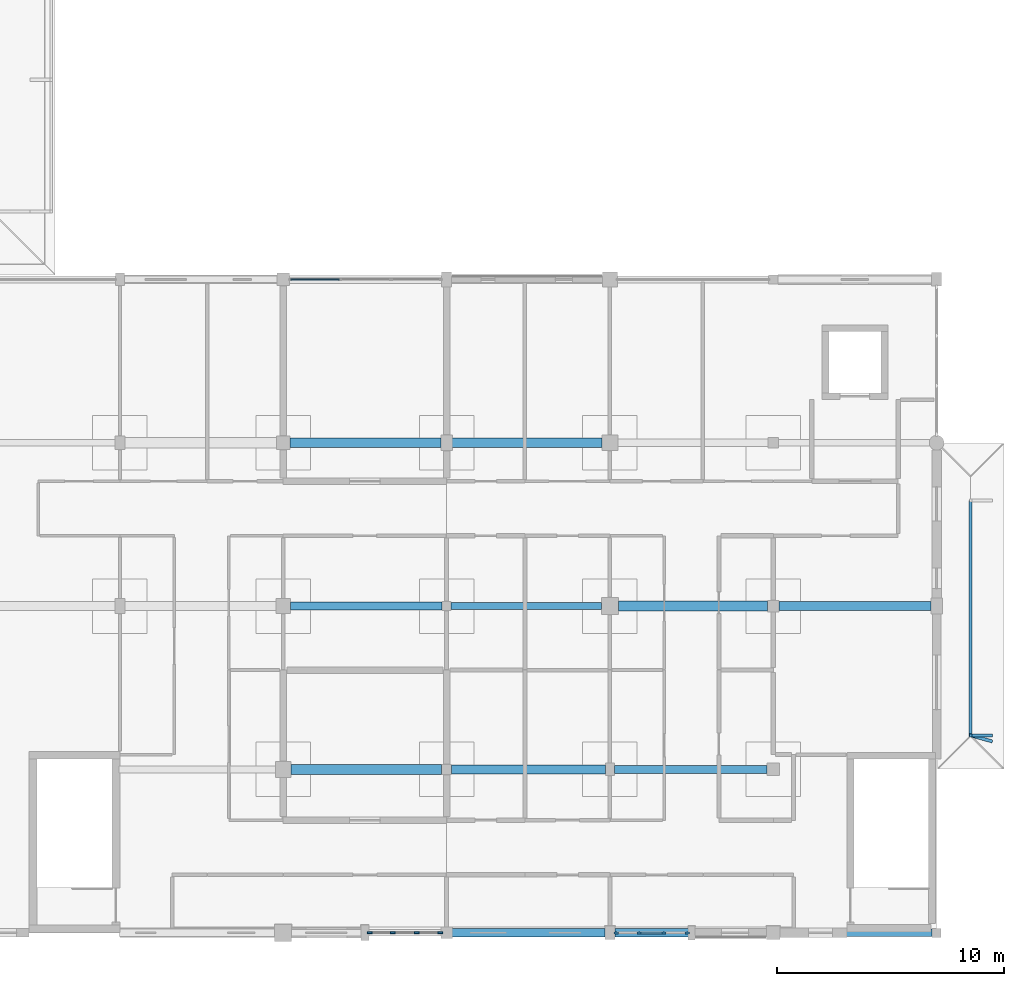
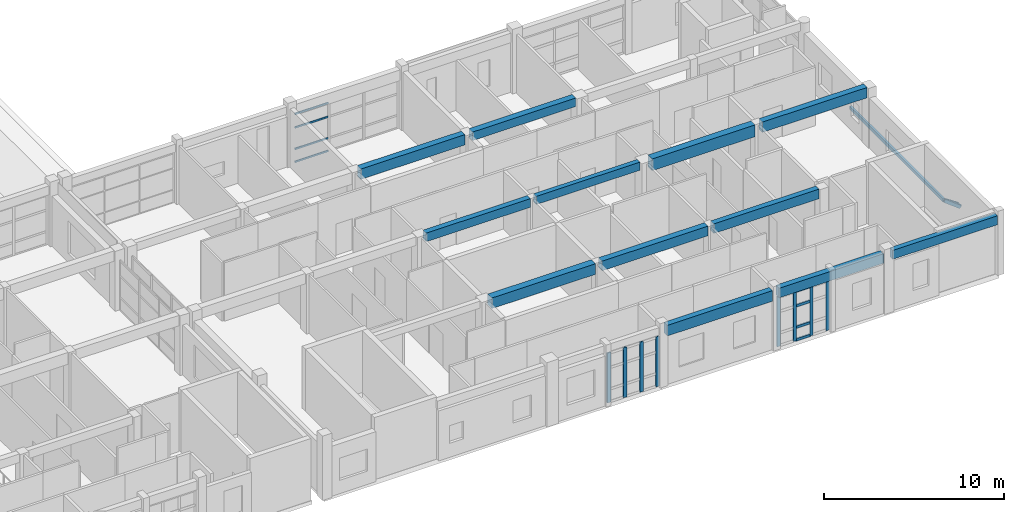
# One storey, part 44 of 110: 19 members, 12 beams, 3 elements without a shape of their own.
"""IFC4 building model written with IfcOpenShell, lengths in metres."""

from ifc_helpers import new_model, si_unit, direction, frame, origin, origin_2d, place, context, subcontext, project, spatial, rectangle, extrude, material, material_profile, profile_set, type_object, element, aggregate, save


model = new_model("IFC4")

# Units and contexts
model_context = context("Model", 3, precision=1e-05, world=origin(), true_north=direction((0.0, 1.0)))
body_context = subcontext(model_context, "Body", "Model", "MODEL_VIEW")
ifc_project = project(units=[si_unit("LENGTHUNIT", "METRE"), si_unit("AREAUNIT", "SQUARE_METRE"), si_unit("VOLUMEUNIT", "CUBIC_METRE"), si_unit("PLANEANGLEUNIT", "RADIAN"), si_unit("MASSUNIT", "GRAM", prefix="KILO")], contexts=[model_context])

# Site, building, storey
site_placement = place(None, origin())
site = spatial("IfcSite", under=ifc_project, at=site_placement, CompositionType="ELEMENT")
building_placement = place(site_placement, origin())
building = spatial("IfcBuilding", under=site, at=building_placement, Name="Steenspoor Specialist Clinic", CompositionType="ELEMENT")
storey_placement = place(building_placement, frame((0.0, 0.0, 4.800048828125)))
storey = spatial("IfcBuildingStorey", under=building, at=storey_placement, Name="L01", CompositionType="ELEMENT", Elevation=4.800048828125)

# Beams
ifc_material_1 = material(Name="Concrete C35/45", Category="concrete")
ifc_material_profile_1 = material_profile(ifc_material_1, rectangle(XDim=0.300048828125, YDim=0.550048828125, at=origin_2d()), Name="RC-BM-300X550")
ifc_profile_set_1 = profile_set([ifc_material_profile_1], Name="Concrete C35/45")
beam_type_1 = type_object("IfcBeamType", Name="BM-RC-300X550", PredefinedType="BEAM", material=ifc_profile_set_1)
beam_1_placement = place(storey_placement, frame((139.794921875, 27.449951171875, 3.760009765625), z_axis=(1.0, 0.0, 0.0), x_axis=(0.0, 1.0, 0.0)))
element("IfcBeam", 1, at=beam_1_placement, inside=storey, type_object=beam_type_1, Name="BM-V2-L01-X0255", PredefinedType="BEAM", context=body_context, shape_type="SweptSolid", body=[
    extrude(rectangle(XDim=0.300048828125, YDim=0.550048828125, at=origin_2d()), origin(), (0.0, 0.0, 1.0), 6.635009765625),
])
ifc_material_profile_2 = material_profile(ifc_material_1, rectangle(XDim=0.35009765625, YDim=0.580078125, at=origin_2d()), Name="RC-BM-350X580")
ifc_profile_set_2 = profile_set([ifc_material_profile_2], Name="Concrete C35/45")
beam_type_2 = type_object("IfcBeamType", Name="BM-RC-350X580", PredefinedType="BEAM", material=ifc_profile_set_2)
beam_2_placement = place(storey_placement, frame((132.719970703125, 27.449951171875, 3.744873046875), z_axis=(1.0, 0.0, 0.0), x_axis=(0.0, 1.0, 0.0)))
element("IfcBeam", 2, at=beam_2_placement, inside=storey, type_object=beam_type_2, Name="BM-V2-L01-X0254", PredefinedType="BEAM", context=body_context, shape_type="SweptSolid", body=[
    extrude(rectangle(XDim=0.35009765625, YDim=0.580078125, at=origin_2d()), origin(), (0.0, 0.0, 1.0), 6.68505859375),
])
ifc_material_profile_3 = material_profile(ifc_material_1, rectangle(XDim=0.35009765625, YDim=0.64990234375, at=origin_2d()), Name="RC-BM-350X650")
ifc_profile_set_3 = profile_set([ifc_material_profile_3], Name="Concrete C35/45")
beam_type_3 = type_object("IfcBeamType", Name="BM-RC-350X650", PredefinedType="BEAM", material=ifc_profile_set_3)
beam_3_placement = place(storey_placement, frame((146.9951171875, 20.25, 3.7099609375), z_axis=(1.0, 0.0, 0.0), x_axis=(0.0, 1.0, 0.0)))
element("IfcBeam", 3, at=beam_3_placement, inside=storey, type_object=beam_type_3, Name="BM-V2-L01-X0251", PredefinedType="BEAM", context=body_context, shape_type="SweptSolid", body=[
    extrude(rectangle(XDim=0.35009765625, YDim=0.64990234375, at=origin_2d()), origin(), (0.0, 0.0, 1.0), 6.73486328125),
])
ifc_material_profile_4 = material_profile(ifc_material_1, rectangle(XDim=0.39990234375, YDim=0.580078125, at=origin_2d()), Name="RC-BM-400X580")
ifc_profile_set_4 = profile_set([ifc_material_profile_4], Name="Concrete C35/45")
beam_type_4 = type_object("IfcBeamType", Name="BM-RC-400X580", PredefinedType="BEAM", material=ifc_profile_set_4)
beam_4_placement = place(storey_placement, frame((139.844970703125, 34.64990234375, 3.744873046875), z_axis=(1.0, 0.0, 0.0), x_axis=(0.0, 1.0, 0.0)))
element("IfcBeam", 4, at=beam_4_placement, inside=storey, type_object=beam_type_4, Name="BM-V2-L01-X0261", PredefinedType="BEAM", context=body_context, shape_type="SweptSolid", body=[
    extrude(rectangle(XDim=0.39990234375, YDim=0.580078125, at=origin_2d()), origin(), (0.0, 0.0, 1.0), 6.610107421875),
])
ifc_material_profile_5 = material_profile(ifc_material_1, rectangle(XDim=0.39990234375, YDim=0.64990234375, at=origin_2d()), Name="RC-BM-400X650")
ifc_profile_set_5 = profile_set([ifc_material_profile_5], Name="Concrete C35/45")
beam_type_5 = type_object("IfcBeamType", Name="BM-RC-400X650", PredefinedType="BEAM", material=ifc_profile_set_5)
beam_5_placement = place(storey_placement, frame((139.820068359375, 20.25, 3.7099609375), z_axis=(1.0, 0.0, 0.0), x_axis=(0.0, 1.0, 0.0)))
element("IfcBeam", 5, at=beam_5_placement, inside=storey, type_object=beam_type_5, Name="BM-V2-L01-X0250", PredefinedType="BEAM", context=body_context, shape_type="SweptSolid", body=[
    extrude(rectangle(XDim=0.39990234375, YDim=0.64990234375, at=origin_2d()), origin(), (0.0, 0.0, 1.0), 6.784912109375),
])
ifc_material_profile_6 = material_profile(ifc_material_1, rectangle(XDim=0.39990234375, YDim=0.699951171875, at=origin_2d()), Name="RC-BM-400X700")
ifc_profile_set_6 = profile_set([ifc_material_profile_6], Name="Concrete C35/45")
beam_type_6 = type_object("IfcBeamType", Name="BM-RC-400X700", PredefinedType="BEAM", material=ifc_profile_set_6)
beam_6_placement = place(storey_placement, frame((154.2451171875, 27.449951171875, 3.68505859375), z_axis=(1.0, 0.0, 0.0), x_axis=(0.0, 1.0, 0.0)))
element("IfcBeam", 6, at=beam_6_placement, inside=storey, type_object=beam_type_6, Name="BM-V2-L01-X0257", PredefinedType="BEAM", context=body_context, shape_type="SweptSolid", body=[
    extrude(rectangle(XDim=0.39990234375, YDim=0.699951171875, at=origin_2d()), origin(), (0.0, 0.0, 1.0), 6.7099609375),
])
beam_7_placement = place(storey_placement, frame((132.695068359375, 34.64990234375, 3.68505859375), z_axis=(1.0, 0.0, 0.0), x_axis=(0.0, 1.0, 0.0)))
element("IfcBeam", 7, at=beam_7_placement, inside=storey, type_object=beam_type_6, Name="BM-V2-L01-X0260", PredefinedType="BEAM", context=body_context, shape_type="SweptSolid", body=[
    extrude(rectangle(XDim=0.39990234375, YDim=0.699951171875, at=origin_2d()), origin(), (0.0, 0.0, 1.0), 6.659912109375),
])
ifc_material_profile_7 = material_profile(ifc_material_1, rectangle(XDim=0.449951171875, YDim=0.719970703125, at=origin_2d()), Name="RC-BM-450X720")
ifc_profile_set_7 = profile_set([ifc_material_profile_7], Name="Concrete C35/45")
beam_type_7 = type_object("IfcBeamType", Name="BM-RC-450X720", PredefinedType="BEAM", material=ifc_profile_set_7)
beam_8_placement = place(storey_placement, frame((132.7451171875, 20.25, 3.675048828125), z_axis=(1.0, 0.0, 0.0), x_axis=(0.0, 1.0, 0.0)))
element("IfcBeam", 8, at=beam_8_placement, inside=storey, type_object=beam_type_7, Name="BM-V2-L01-X0249", PredefinedType="BEAM", context=body_context, shape_type="SweptSolid", body=[
    extrude(rectangle(XDim=0.449951171875, YDim=0.719970703125, at=origin_2d()), origin(), (0.0, 0.0, 1.0), 6.634765625),
])
ifc_material_profile_8 = material_profile(ifc_material_1, rectangle(XDim=0.449951171875, YDim=0.800048828125, at=origin_2d()), Name="RC-BM-450X800")
ifc_profile_set_8 = profile_set([ifc_material_profile_8], Name="Concrete C35/45")
beam_type_8 = type_object("IfcBeamType", Name="BM-RC-450X800", PredefinedType="BEAM", material=ifc_profile_set_8)
beam_9_placement = place(storey_placement, frame((147.169921875, 27.449951171875, 3.635009765625), z_axis=(1.0, 0.0, 0.0), x_axis=(0.0, 1.0, 0.0)))
element("IfcBeam", 9, at=beam_9_placement, inside=storey, type_object=beam_type_8, Name="BM-V2-L01-X0256", PredefinedType="BEAM", context=body_context, shape_type="SweptSolid", body=[
    extrude(rectangle(XDim=0.449951171875, YDim=0.800048828125, at=origin_2d()), origin(), (0.0, 0.0, 1.0), 6.5849609375),
])

# Curtain wall, members
ifc_material_2 = material(Name="Thermally broken aluminium and low-emissivity glass", Category="aluminium")
curtain_wall_type_1 = type_object("IfcCurtainWallType", Name="CW-L00-480X415", PredefinedType="USERDEFINED", material=ifc_material_2)
curtain_wall_1_placement = place(storey_placement, origin())
curtain_wall_1 = element("IfcCurtainWall", 10, at=curtain_wall_1_placement, inside=storey, type_object=curtain_wall_type_1, Name="Unitised Curtain Wall CW-V2-L01-030", ObjectType="UNITISED GLAZING", PredefinedType="USERDEFINED")
ifc_material_3 = material(Name="Thermally broken aluminium 6063-T6", Category="aluminium")
ifc_material_profile_9 = material_profile(ifc_material_3, rectangle(XDim=0.080078125, YDim=0.219970703125, at=origin_2d()), Name="CWM-80X220")
ifc_profile_set_9 = profile_set([ifc_material_profile_9], Name="Thermally broken aluminium 6063-T6")
member_type_1 = type_object("IfcMemberType", Name="CW-MULL-80X220", PredefinedType="MULLION", material=ifc_profile_set_9)
member_1_placement = place(storey_placement, frame((139.31005859375, 13.050048828125, 0.0), z_axis=(0.0, 0.0, 1.0), x_axis=(0.0, -1.0, 0.0)))
member_1 = element("IfcMember", 11, at=member_1_placement, type_object=member_type_1, Name="CW-06 mullion 1", PredefinedType="MULLION", context=body_context, shape_type="SweptSolid", body=[
    extrude(rectangle(XDim=0.080078125, YDim=0.219970703125, at=origin_2d()), origin(), (0.0, 0.0, 1.0), 3.3798828125),
])
member_2_placement = place(storey_placement, frame((138.2900390625, 13.050048828125, 0.0), z_axis=(0.0, 0.0, 1.0), x_axis=(0.0, -1.0, 0.0)))
member_2 = element("IfcMember", 12, at=member_2_placement, type_object=member_type_1, Name="CW-06 mullion 2", PredefinedType="MULLION", context=body_context, shape_type="SweptSolid", body=[
    extrude(rectangle(XDim=0.080078125, YDim=0.219970703125, at=origin_2d()), origin(), (0.0, 0.0, 1.0), 3.3798828125),
])
member_3_placement = place(storey_placement, frame((137.22998046875, 13.050048828125, 0.0), z_axis=(0.0, 0.0, 1.0), x_axis=(0.0, -1.0, 0.0)))
member_3 = element("IfcMember", 13, at=member_3_placement, type_object=member_type_1, Name="CW-06 mullion 3", PredefinedType="MULLION", context=body_context, shape_type="SweptSolid", body=[
    extrude(rectangle(XDim=0.080078125, YDim=0.219970703125, at=origin_2d()), origin(), (0.0, 0.0, 1.0), 3.3798828125),
])
member_4_placement = place(storey_placement, frame((136.2099609375, 13.050048828125, 0.0), z_axis=(0.0, 0.0, 1.0), x_axis=(0.0, -1.0, 0.0)))
member_4 = element("IfcMember", 14, at=member_4_placement, type_object=member_type_1, Name="CW-06 mullion 4", PredefinedType="MULLION", context=body_context, shape_type="SweptSolid", body=[
    extrude(rectangle(XDim=0.080078125, YDim=0.219970703125, at=origin_2d()), origin(), (0.0, 0.0, 1.0), 3.3798828125),
])
aggregate(curtain_wall_1, [member_1, member_2, member_3, member_4])

curtain_wall_type_2 = type_object("IfcCurtainWallType", Name="CW-L00-650X415", PredefinedType="USERDEFINED", material=ifc_material_2)
curtain_wall_2_placement = place(storey_placement, origin())
curtain_wall_2 = element("IfcCurtainWall", 15, at=curtain_wall_2_placement, inside=storey, type_object=curtain_wall_type_2, Name="Unitised Curtain Wall CW-V2-L01-029", ObjectType="UNITISED GLAZING", PredefinedType="USERDEFINED")
ifc_material_profile_10 = material_profile(ifc_material_3, rectangle(XDim=0.090087890625, YDim=0.199951171875, at=origin_2d()), Name="CWM-90X200")
ifc_profile_set_10 = profile_set([ifc_material_profile_10], Name="Thermally broken aluminium 6063-T6")
member_type_2 = type_object("IfcMemberType", Name="CW-MULL-90X200", PredefinedType="MULLION", material=ifc_profile_set_10)
member_5_placement = place(storey_placement, frame((150.205078125, 13.050048828125, 0.0), z_axis=(0.0, 0.0, 1.0), x_axis=(0.0, -1.0, 0.0)))
member_5 = element("IfcMember", 16, at=member_5_placement, type_object=member_type_2, Name="CW-05 mullion 1", PredefinedType="MULLION", context=body_context, shape_type="SweptSolid", body=[
    extrude(rectangle(XDim=0.090087890625, YDim=0.199951171875, at=origin_2d()), origin(), (0.0, 0.0, 1.0), 3.3798828125),
])
member_6_placement = place(storey_placement, frame((149.175048828125, 13.050048828125, 0.0), z_axis=(0.0, 0.0, 1.0), x_axis=(0.0, -1.0, 0.0)))
member_6 = element("IfcMember", 17, at=member_6_placement, type_object=member_type_2, Name="CW-05 mullion 2", PredefinedType="MULLION", context=body_context, shape_type="SweptSolid", body=[
    extrude(rectangle(XDim=0.090087890625, YDim=0.199951171875, at=origin_2d()), origin(), (0.0, 0.0, 1.0), 3.3798828125),
])
member_7_placement = place(storey_placement, frame((148.10009765625, 13.050048828125, 0.0), z_axis=(0.0, 0.0, 1.0), x_axis=(0.0, -1.0, 0.0)))
member_7 = element("IfcMember", 18, at=member_7_placement, type_object=member_type_2, Name="CW-05 mullion 3", PredefinedType="MULLION", context=body_context, shape_type="SweptSolid", body=[
    extrude(rectangle(XDim=0.090087890625, YDim=0.199951171875, at=origin_2d()), origin(), (0.0, 0.0, 1.0), 3.3798828125),
])
member_8_placement = place(storey_placement, frame((147.070068359375, 13.050048828125, 0.0), z_axis=(0.0, 0.0, 1.0), x_axis=(0.0, -1.0, 0.0)))
member_8 = element("IfcMember", 19, at=member_8_placement, type_object=member_type_2, Name="CW-05 mullion 4", PredefinedType="MULLION", context=body_context, shape_type="SweptSolid", body=[
    extrude(rectangle(XDim=0.090087890625, YDim=0.199951171875, at=origin_2d()), origin(), (0.0, 0.0, 1.0), 3.3798828125),
])

curtain_wall_type_3 = type_object("IfcCurtainWallType", Name="CW-TYP-660X355", PredefinedType="USERDEFINED", material=ifc_material_2)
curtain_wall_3_placement = place(storey_placement, origin())
curtain_wall_3 = element("IfcCurtainWall", 20, at=curtain_wall_3_placement, inside=storey, type_object=curtain_wall_type_3, Name="Unitised Curtain Wall CW-V2-L01-033", ObjectType="UNITISED GLAZING", PredefinedType="USERDEFINED")
ifc_material_profile_11 = material_profile(ifc_material_3, rectangle(XDim=0.06005859375, YDim=0.114990234375, at=origin_2d()), Name="CWT-60X115")
ifc_profile_set_11 = profile_set([ifc_material_profile_11], Name="Thermally broken aluminium 6063-T6")
member_type_3 = type_object("IfcMemberType", Name="CW-TRAN-60X115", PredefinedType="USERDEFINED", material=ifc_profile_set_11)
member_9_placement = place(storey_placement, frame((132.739990234375, 41.85009765625, 0.030029296875), z_axis=(1.0, 0.0, 0.0), x_axis=(0.0, 1.0, 0.0)))
member_9 = element("IfcMember", 21, at=member_9_placement, type_object=member_type_3, Name="CW-09 transom 1.1", ObjectType="TRANSOM", PredefinedType="USERDEFINED", context=body_context, shape_type="SweptSolid", body=[
    extrude(rectangle(XDim=0.06005859375, YDim=0.114990234375, at=origin_2d()), origin(), (0.0, 0.0, 1.0), 2.1357421875),
])
member_10_placement = place(storey_placement, frame((132.739990234375, 41.85009765625, 0.89990234375), z_axis=(1.0, 0.0, 0.0), x_axis=(0.0, 1.0, 0.0)))
member_10 = element("IfcMember", 22, at=member_10_placement, type_object=member_type_3, Name="CW-09 transom 1.2", ObjectType="TRANSOM", PredefinedType="USERDEFINED", context=body_context, shape_type="SweptSolid", body=[
    extrude(rectangle(XDim=0.06005859375, YDim=0.114990234375, at=origin_2d()), origin(), (0.0, 0.0, 1.0), 2.1357421875),
])
member_11_placement = place(storey_placement, frame((132.739990234375, 41.85009765625, 2.349853515625), z_axis=(1.0, 0.0, 0.0), x_axis=(0.0, 1.0, 0.0)))
member_11 = element("IfcMember", 23, at=member_11_placement, type_object=member_type_3, Name="CW-09 transom 1.3", ObjectType="TRANSOM", PredefinedType="USERDEFINED", context=body_context, shape_type="SweptSolid", body=[
    extrude(rectangle(XDim=0.06005859375, YDim=0.114990234375, at=origin_2d()), origin(), (0.0, 0.0, 1.0), 2.1357421875),
])
member_12_placement = place(storey_placement, frame((132.739990234375, 41.85009765625, 3.27001953125), z_axis=(1.0, 0.0, 0.0), x_axis=(0.0, 1.0, 0.0)))
member_12 = element("IfcMember", 24, at=member_12_placement, type_object=member_type_3, Name="CW-09 transom 1.4", ObjectType="TRANSOM", PredefinedType="USERDEFINED", context=body_context, shape_type="SweptSolid", body=[
    extrude(rectangle(XDim=0.06005859375, YDim=0.114990234375, at=origin_2d()), origin(), (0.0, 0.0, 1.0), 2.1357421875),
])
aggregate(curtain_wall_3, [member_9, member_10, member_11, member_12])

# Member
ifc_material_profile_12 = material_profile(ifc_material_3, rectangle(XDim=0.090087890625, YDim=0.175048828125, at=origin_2d()), Name="CWT-90X175")
ifc_profile_set_12 = profile_set([ifc_material_profile_12], Name="Thermally broken aluminium 6063-T6")
member_type_4 = type_object("IfcMemberType", Name="CW-TRAN-90X175", PredefinedType="USERDEFINED", material=ifc_profile_set_12)
member_13_placement = place(storey_placement, frame((149.1298828125, 13.050048828125, 0.044921875), z_axis=(-1.0, 0.0, 0.0), x_axis=(0.0, -1.0, 0.0)))
member_13 = element("IfcMember", 25, at=member_13_placement, type_object=member_type_4, Name="CW-05 transom 2.1", ObjectType="TRANSOM", PredefinedType="USERDEFINED", context=body_context, shape_type="SweptSolid", body=[
    extrude(rectangle(XDim=0.090087890625, YDim=0.175048828125, at=origin_2d()), origin(), (0.0, 0.0, 1.0), 0.98486328125),
])

member_14_placement = place(storey_placement, frame((149.1298828125, 13.050048828125, 0.89990234375), z_axis=(-1.0, 0.0, 0.0), x_axis=(0.0, -1.0, 0.0)))
member_14 = element("IfcMember", 26, at=member_14_placement, type_object=member_type_4, Name="CW-05 transom 2.2", ObjectType="TRANSOM", PredefinedType="USERDEFINED", context=body_context, shape_type="SweptSolid", body=[
    extrude(rectangle(XDim=0.090087890625, YDim=0.175048828125, at=origin_2d()), origin(), (0.0, 0.0, 1.0), 0.98486328125),
])

member_15_placement = place(storey_placement, frame((149.1298828125, 13.050048828125, 2.349853515625), z_axis=(-1.0, 0.0, 0.0), x_axis=(0.0, -1.0, 0.0)))
member_15 = element("IfcMember", 27, at=member_15_placement, type_object=member_type_4, Name="CW-05 transom 2.3", ObjectType="TRANSOM", PredefinedType="USERDEFINED", context=body_context, shape_type="SweptSolid", body=[
    extrude(rectangle(XDim=0.090087890625, YDim=0.175048828125, at=origin_2d()), origin(), (0.0, 0.0, 1.0), 0.98486328125),
])

member_16_placement = place(storey_placement, frame((149.1298828125, 13.050048828125, 3.3349609375), z_axis=(-1.0, 0.0, 0.0), x_axis=(0.0, -1.0, 0.0)))
member_16 = element("IfcMember", 28, at=member_16_placement, type_object=member_type_4, Name="CW-05 transom 2.4", ObjectType="TRANSOM", PredefinedType="USERDEFINED", context=body_context, shape_type="SweptSolid", body=[
    extrude(rectangle(XDim=0.090087890625, YDim=0.175048828125, at=origin_2d()), origin(), (0.0, 0.0, 1.0), 0.98486328125),
])

aggregate(curtain_wall_2, [member_5, member_6, member_7, member_8, member_13, member_14, member_15, member_16])

# Members
ifc_material_4 = material(Name="Glulam GL28h", Category="wood")
ifc_material_profile_13 = material_profile(ifc_material_4, rectangle(XDim=0.139892578125, YDim=0.219970703125, at=origin_2d()), Name="GL28H-140X220")
ifc_profile_set_13 = profile_set([ifc_material_profile_13], Name="Glulam GL28h")
member_type_5 = type_object("IfcMemberType", Name="MEM-RAFTER-GL220", PredefinedType="RAFTER", material=ifc_profile_set_13)
member_17_placement = place(storey_placement, frame((162.699951171875, 21.75, -0.86962890625), z_axis=(0.0, 1.0, 0.0), x_axis=(-1.0, 0.0, 0.0)))
element("IfcMember", 29, at=member_17_placement, inside=storey, type_object=member_type_5, Name="Walkway Ridge Rafter PORCH-EAST", PredefinedType="RAFTER", context=body_context, shape_type="SweptSolid", body=[
    extrude(rectangle(XDim=0.139892578125, YDim=0.219970703125, at=origin_2d()), origin(), (0.0, 0.0, 1.0), 10.35009765625),
])
member_18_placement = place(storey_placement, frame((163.60009765625, 21.75, -1.465087890625), z_axis=(-0.834028643507, 0.0, 0.551721144973), x_axis=(0.0, -1.0, 0.0)))
element("IfcMember", 30, at=member_18_placement, inside=storey, type_object=member_type_5, Name="Walkway Rafter PORCH-EAST", PredefinedType="RAFTER", context=body_context, shape_type="SweptSolid", body=[
    extrude(rectangle(XDim=0.139892578125, YDim=0.219970703125, at=origin_2d()), origin(), (0.0, 0.0, 1.0), 1.079345703125),
])
member_19_placement = place(storey_placement, frame((163.60009765625, 21.5, -1.465087890625), z_axis=(-0.812515422515, 0.225661999635, 0.537489860459), x_axis=(-0.267603428308, -0.963529140793, 0.0)))
element("IfcMember", 31, at=member_19_placement, inside=storey, type_object=member_type_5, Name="Walkway Hip Rafter PORCH-EAST", PredefinedType="RAFTER", context=body_context, shape_type="SweptSolid", body=[
    extrude(rectangle(XDim=0.139892578125, YDim=0.219970703125, at=origin_2d()), origin(), (0.0, 0.0, 1.0), 1.10791015625),
])

# Beams
ifc_material_profile_14 = material_profile(ifc_material_1, rectangle(XDim=0.320068359375, YDim=0.60009765625, at=origin_2d()), Name="RC-SP-320X600")
ifc_profile_set_14 = profile_set([ifc_material_profile_14], Name="Concrete C35/45")
beam_type_9 = type_object("IfcBeamType", Name="SP-RC-320X600", PredefinedType="SPANDREL", material=ifc_profile_set_14)
beam_10_placement = place(storey_placement, frame((154.294921875, 13.050048828125, 3.73486328125), z_axis=(1.0, 0.0, 0.0), x_axis=(0.0, 1.0, 0.0)))
element("IfcBeam", 32, at=beam_10_placement, inside=storey, type_object=beam_type_9, Name="BM-V2-L01-X0247", PredefinedType="SPANDREL", context=body_context, shape_type="SweptSolid", body=[
    extrude(rectangle(XDim=0.320068359375, YDim=0.60009765625, at=origin_2d()), origin(), (0.0, 0.0, 1.0), 6.7099609375),
])
ifc_material_profile_15 = material_profile(ifc_material_1, rectangle(XDim=0.360107421875, YDim=0.639892578125, at=origin_2d()), Name="RC-SP-360X640")
ifc_profile_set_15 = profile_set([ifc_material_profile_15], Name="Concrete C35/45")
beam_type_10 = type_object("IfcBeamType", Name="SP-RC-360X640", PredefinedType="SPANDREL", material=ifc_profile_set_15)
beam_11_placement = place(storey_placement, frame((147.02001953125, 13.050048828125, 3.71484375), z_axis=(1.0, 0.0, 0.0), x_axis=(0.0, 1.0, 0.0)))
element("IfcBeam", 33, at=beam_11_placement, inside=storey, type_object=beam_type_10, Name="BM-V2-L01-X0246", PredefinedType="SPANDREL", context=body_context, shape_type="SweptSolid", body=[
    extrude(rectangle(XDim=0.360107421875, YDim=0.639892578125, at=origin_2d()), origin(), (0.0, 0.0, 1.0), 6.68505859375),
])
ifc_material_profile_16 = material_profile(ifc_material_1, rectangle(XDim=0.360107421875, YDim=0.719970703125, at=origin_2d()), Name="RC-SP-360X720")
ifc_profile_set_16 = profile_set([ifc_material_profile_16], Name="Concrete C35/45")
beam_type_11 = type_object("IfcBeamType", Name="SP-RC-360X720", PredefinedType="SPANDREL", material=ifc_profile_set_16)
beam_12_placement = place(storey_placement, frame((139.844970703125, 13.050048828125, 3.675048828125), z_axis=(1.0, 0.0, 0.0), x_axis=(0.0, 1.0, 0.0)))
element("IfcBeam", 34, at=beam_12_placement, inside=storey, type_object=beam_type_11, Name="BM-V2-L01-X0245", PredefinedType="SPANDREL", context=body_context, shape_type="SweptSolid", body=[
    extrude(rectangle(XDim=0.360107421875, YDim=0.719970703125, at=origin_2d()), origin(), (0.0, 0.0, 1.0), 6.735107421875),
])

save(model, "model.ifc")
